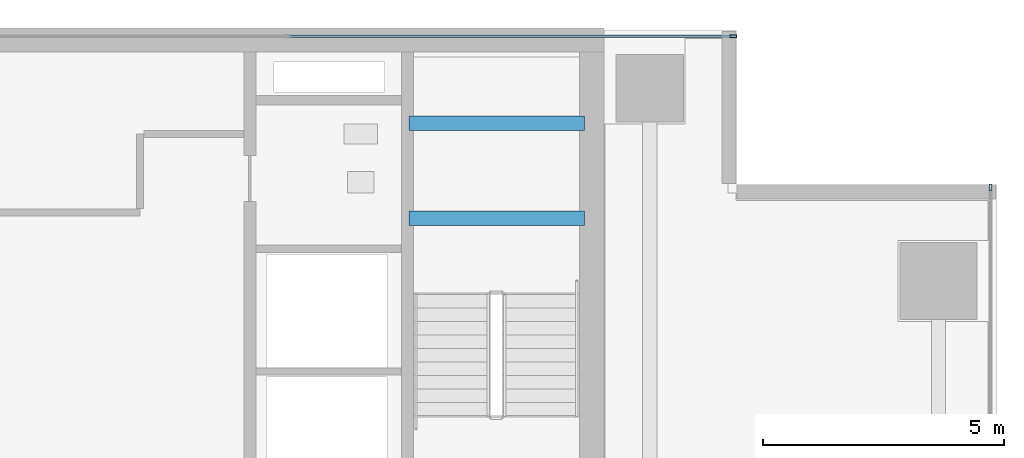
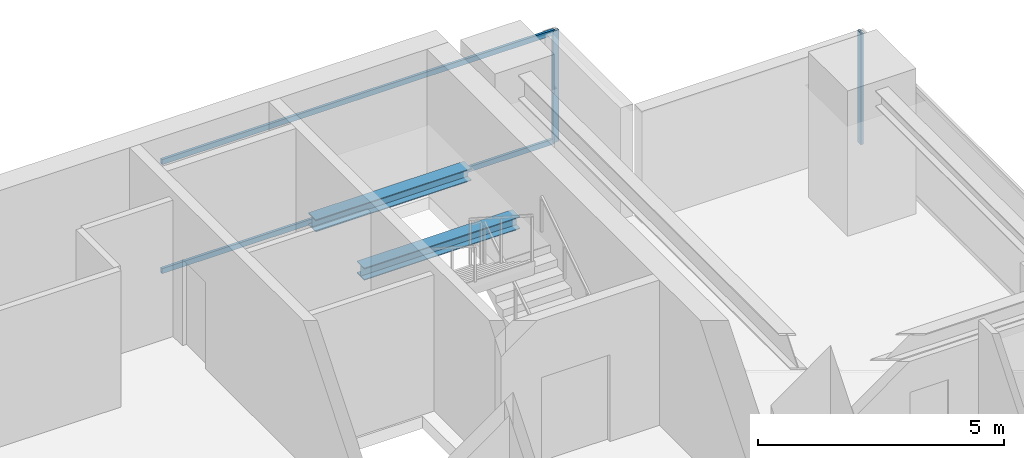
# One storey, part 22 of 30: 4 members, 2 beams, 2 elements without a shape of their own.
"""IFC4 building model written with IfcOpenShell, lengths in metres."""

from ifc_helpers import new_model, si_unit, direction, frame, origin, origin_2d, place, context, subcontext, project, spatial, hollow_rectangle, i_section, extrude, source, transform, mapped, material, layer, layer_set, material_profile, profile_set, type_object, element, aggregate, save


model = new_model("IFC4")

# Units and contexts
model_context = context("Model", 3, precision=1e-05, world=origin(), true_north=direction((0.0, 1.0)))
body_context = subcontext(model_context, "Body", "Model", "MODEL_VIEW")
ifc_project = project(units=[si_unit("LENGTHUNIT", "METRE"), si_unit("AREAUNIT", "SQUARE_METRE"), si_unit("VOLUMEUNIT", "CUBIC_METRE"), si_unit("PLANEANGLEUNIT", "RADIAN"), si_unit("MASSUNIT", "GRAM", prefix="KILO")], contexts=[model_context])

# Site, building, storey
site_placement = place(None, origin())
site = spatial("IfcSite", under=ifc_project, at=site_placement, CompositionType="ELEMENT")
building_placement = place(site_placement, origin())
building = spatial("IfcBuilding", under=site, at=building_placement, Name="Sumidabori Civic Tower", CompositionType="ELEMENT")
storey_placement = place(building_placement, frame((0.0, 0.0, 196.39990234375)))
storey = spatial("IfcBuildingStorey", under=building, at=storey_placement, Name="L50", CompositionType="ELEMENT", Elevation=196.39990234375)

# Beams
ifc_material_1 = material(Name="Steel SN490", Category="steel")
ifc_material_profile_1 = material_profile(ifc_material_1, i_section(OverallWidth=0.300048828125, OverallDepth=0.300048828125, WebThickness=0.010986328125, FlangeThickness=0.01904296875, at=origin_2d()), Name="HE 300 B")
ifc_profile_set_1 = profile_set([ifc_material_profile_1], Name="Steel SN490")
beam_type = type_object("IfcBeamType", Name="BM-LDG-300", PredefinedType="BEAM", material=ifc_profile_set_1)
shared_shape_1 = source(origin(), body_context, "Body", "SweptSolid", [
    extrude(i_section(OverallWidth=0.300048828125, OverallDepth=0.300048828125, WebThickness=0.010986328125, FlangeThickness=0.01904296875, at=origin_2d()), origin(), (0.0, 0.0, 1.0), 3.64990234375),
])
for number, where, z_axis, x_axis, name in (
    (1, (11.800048828125, 20.09765625, 1.4501953125), (1.0, 0.0, 0.0), (0.0, 1.0, 0.0), "Stair ST-2 Landing Support Beam L50-1A"),
    (2, (11.800048828125, 22.069580078125, 1.4501953125), (1.0, 0.0, 0.0), (0.0, 1.0, 0.0), "Stair ST-2 Landing Trimmer Beam L50-1B"),
):
    element("IfcBeam", number, at=place(storey_placement, frame(where, z_axis=z_axis, x_axis=x_axis)), inside=storey, type_object=beam_type, Name=name, PredefinedType="BEAM", context=body_context, shape_type="MappedRepresentation", body=[
        mapped(shared_shape_1, transform((0.0, 0.0, 0.0), x_axis=(1.0, 0.0, 0.0), y_axis=(0.0, 1.0, 0.0), z_axis=(0.0, 0.0, 1.0), scale=1.0)),
    ])

# Curtain wall, member
ifc_material_2 = material(Name="Anodised Bronze Aluminium AW-6063-T6", Category="aluminium")
ifc_layer = layer(ifc_material_2, 0.179931640625, Name="Anodised Bronze Aluminium AW-6063-T6")
ifc_layer_set = layer_set([ifc_layer], Name="Anodised Bronze Aluminium AW-6063-T6")
curtain_wall_type = type_object("IfcCurtainWallType", Name="CW-SYS-5", PredefinedType="NOTDEFINED", material=ifc_layer_set)
curtain_wall_1_placement = place(storey_placement, origin())
curtain_wall_1 = element("IfcCurtainWall", 3, at=curtain_wall_1_placement, inside=storey, type_object=curtain_wall_type, Name="Curtain Wall CW:L50:R10", PredefinedType="NOTDEFINED")
ifc_material_profile_2 = material_profile(ifc_material_2, hollow_rectangle(XDim=0.06005859375, YDim=0.139892578125, WallThickness=0.0048828125, at=origin_2d()), Name="ALU MULLION 140x60")
ifc_profile_set_2 = profile_set([ifc_material_profile_2], Name="Anodised Bronze Aluminium AW-6063-T6")
member_type_1 = type_object("IfcMemberType", Name="CW-MUL-140", PredefinedType="MULLION", material=ifc_profile_set_2)
shared_shape_2 = source(origin(), body_context, "Body", "SweptSolid", [
    extrude(hollow_rectangle(XDim=0.06005859375, YDim=0.139892578125, WallThickness=0.0048828125, at=origin_2d()), origin(), (0.0, 0.0, 1.0), 2.760009765625),
])
member_1_placement = place(storey_placement, frame((23.8798828125, 20.739990234375, 0.0), z_axis=(0.0, 0.0, 1.0), x_axis=(-1.0, 0.0, 0.0)))
member_1 = element("IfcMember", 4, at=member_1_placement, type_object=member_type_1, Name="CW-5 mullion 5", PredefinedType="MULLION", context=body_context, shape_type="MappedRepresentation", body=[
    mapped(shared_shape_2, transform((0.0, 0.0, 0.0), x_axis=(1.0, 0.0, 0.0), y_axis=(0.0, 1.0, 0.0), z_axis=(0.0, 0.0, 1.0), scale=1.0)),
])
aggregate(curtain_wall_1, [member_1])

# Curtain wall, members
curtain_wall_2_placement = place(storey_placement, origin())
curtain_wall_2 = element("IfcCurtainWall", 5, at=curtain_wall_2_placement, inside=storey, type_object=curtain_wall_type, Name="Curtain Wall CW:L50:R13", PredefinedType="NOTDEFINED")
member_2_placement = place(storey_placement, frame((18.5400390625, 23.8798828125, 0.0), z_axis=(0.0, 0.0, 1.0), x_axis=(0.0, -1.0, 0.0)))
member_2 = element("IfcMember", 6, at=member_2_placement, type_object=member_type_1, Name="CW-5 mullion 1", PredefinedType="MULLION", context=body_context, shape_type="MappedRepresentation", body=[
    mapped(shared_shape_2, transform((0.0, 0.0, 0.0), x_axis=(1.0, 0.0, 0.0), y_axis=(0.0, 1.0, 0.0), z_axis=(0.0, 0.0, 1.0), scale=1.0)),
])
ifc_material_profile_3 = material_profile(ifc_material_2, hollow_rectangle(XDim=0.06005859375, YDim=0.1298828125, WallThickness=0.0048828125, at=origin_2d()), Name="ALU TRANSOM 130x60")
ifc_profile_set_3 = profile_set([ifc_material_profile_3], Name="Anodised Bronze Aluminium AW-6063-T6")
member_type_2 = type_object("IfcMemberType", Name="CW-TRN-130", PredefinedType="USERDEFINED", material=ifc_profile_set_3)
shared_shape_3 = source(origin(), body_context, "Body", "SweptSolid", [
    extrude(hollow_rectangle(XDim=0.06005859375, YDim=0.1298828125, WallThickness=0.0048828125, at=origin_2d()), origin(), (0.0, 0.0, 1.0), 9.195068359375),
])
member_3_placement = place(storey_placement, frame((18.510009765625, 23.8798828125, 0.030029296875), z_axis=(-1.0, 0.0, 0.0), x_axis=(0.0, -1.0, 0.0)))
member_3 = element("IfcMember", 7, at=member_3_placement, type_object=member_type_2, Name="CW-5 transom 1.1", ObjectType="TRANSOM", PredefinedType="USERDEFINED", context=body_context, shape_type="MappedRepresentation", body=[
    mapped(shared_shape_3, transform((0.0, 0.0, 0.0), x_axis=(1.0, 0.0, 0.0), y_axis=(0.0, 1.0, 0.0), z_axis=(0.0, 0.0, 1.0), scale=1.0)),
])
member_4_placement = place(storey_placement, frame((18.510009765625, 23.8798828125, 2.72998046875), z_axis=(-1.0, 0.0, 0.0), x_axis=(0.0, -1.0, 0.0)))
member_4 = element("IfcMember", 8, at=member_4_placement, type_object=member_type_2, Name="CW-5 transom 1.2", ObjectType="TRANSOM", PredefinedType="USERDEFINED", context=body_context, shape_type="MappedRepresentation", body=[
    mapped(shared_shape_3, transform((0.0, 0.0, 0.0), x_axis=(1.0, 0.0, 0.0), y_axis=(0.0, 1.0, 0.0), z_axis=(0.0, 0.0, 1.0), scale=1.0)),
])
aggregate(curtain_wall_2, [member_2, member_3, member_4])

save(model, "model.ifc")
